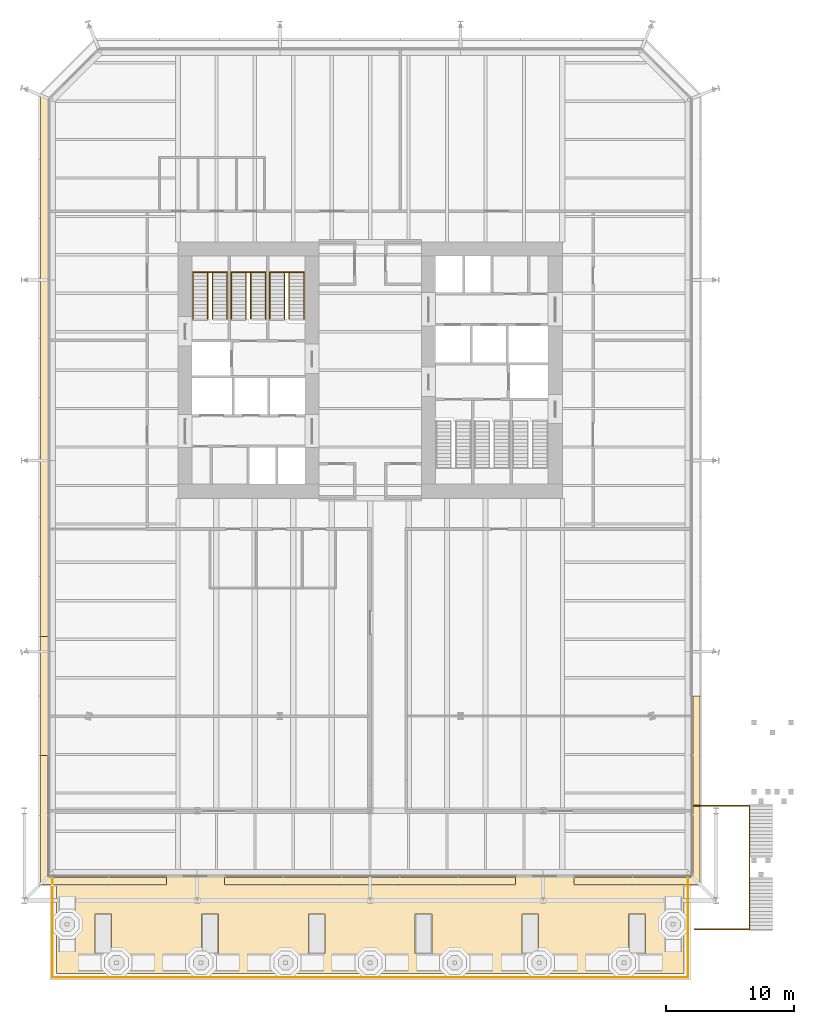
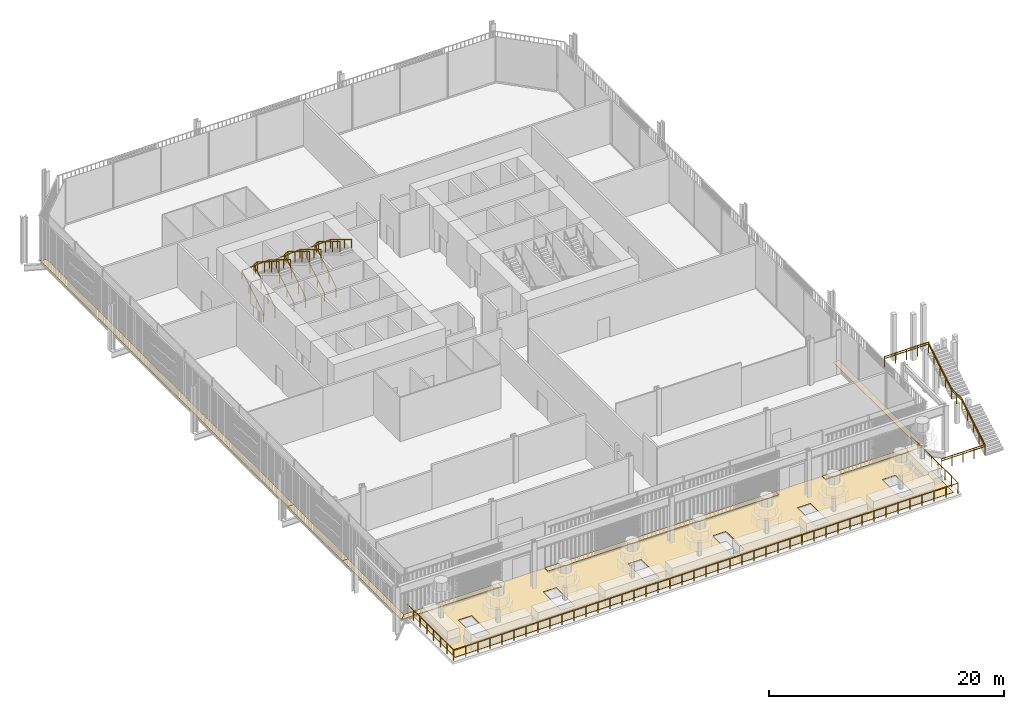
# One storey, part 23 of 25: 9 railings, 8 coverings.
"""IFC4 building model written with IfcOpenShell, lengths in metres."""

import ifcopenshell
import ifcopenshell.guid

model = None  # the IFC model being written
_history = None  # IfcOwnerHistory: only IFC2X3 demands one
_inside = {}  # id of a spatial element -> (the spatial element, [elements in it])
_under = {}  # id of a project, library or spatial element -> (it, [spatial elements below it])
_declared = {}  # id of a project -> (the project, [libraries it declares])
_typed = {}  # id of a type object -> (the type object, [elements of that type])
_made_of = {}  # id of a material, layer set ... -> (it, [elements and type objects made of it])


def new_model(schema):
    """Start an empty IFC model of exactly this schema.

    Asked for "IFC4X3", IfcOpenShell would pick the latest addendum, in which some entities
    have other attributes; the version numbers below select the first issue.
    IFC2X3 requires an IfcOwnerHistory on every rooted entity: one is made here for all.
    """
    global model, _history
    if schema == "IFC4X3":
        model = ifcopenshell.file(schema_version=(4, 3, 0, 0))
    else:
        model = ifcopenshell.file(schema=schema)
    _inside.clear()
    _under.clear()
    _declared.clear()
    _typed.clear()
    _made_of.clear()
    _history = None
    if model.schema == "IFC2X3":
        org = make("IfcOrganization", Name="unknown")
        user = make(
            "IfcPersonAndOrganization",
            ThePerson=make("IfcPerson", FamilyName="unknown"),
            TheOrganization=org,
        )
        app = make(
            "IfcApplication",
            ApplicationDeveloper=org,
            Version="unknown",
            ApplicationFullName="unknown",
            ApplicationIdentifier="unknown",
        )
        _history = make(
            "IfcOwnerHistory",
            OwningUser=user,
            OwningApplication=app,
            ChangeAction="ADDED",
            CreationDate=0,
        )
    return model


def make(cls, **values):
    """One entity of the class cls with the attributes given. An attribute that is None is left unset."""
    return model.create_entity(
        cls, **{name: value for name, value in values.items() if value is not None}
    )


def rooted(cls, **values):
    """An entity with a GlobalId (a new one), such as an element, a storey or a relation."""
    return make(cls, GlobalId=ifcopenshell.guid.new(), OwnerHistory=_history, **values)


def si_unit(unit_type, name, prefix=None):
    """IfcSIUnit, for example si_unit("LENGTHUNIT", "METRE", prefix="MILLI")."""
    return make("IfcSIUnit", UnitType=unit_type, Prefix=prefix, Name=name)


def assignment(units):
    """IfcUnitAssignment: the units of a project."""
    return None if units is None else make("IfcUnitAssignment", Units=units)


def point(xyz):
    """IfcCartesianPoint."""
    return None if xyz is None else make("IfcCartesianPoint", Coordinates=xyz)


def direction(xyz):
    """IfcDirection."""
    return None if xyz is None else make("IfcDirection", DirectionRatios=xyz)


def frame(location, z_axis=None, x_axis=None):
    """IfcAxis2Placement3D, a coordinate frame: its origin and axes. An axis left out is left unset."""
    return make(
        "IfcAxis2Placement3D",
        Location=point(location),
        Axis=direction(z_axis),
        RefDirection=direction(x_axis),
    )


def frame_2d(location, x_axis=None):
    """IfcAxis2Placement2D, a coordinate frame in the plane: its origin and x axis."""
    return make(
        "IfcAxis2Placement2D", Location=point(location), RefDirection=direction(x_axis)
    )


def origin():
    """The frame at (0, 0, 0) with its axes left unset."""
    return frame((0.0, 0.0, 0.0))


def origin_2d():
    """The frame at (0, 0) in the plane with its x axis left unset."""
    return frame_2d((0.0, 0.0))


def place(relative_to, where):
    """IfcLocalPlacement: puts the frame where relative to a parent placement (None: the world)."""
    return make(
        "IfcLocalPlacement", PlacementRelTo=relative_to, RelativePlacement=where
    )


def context(
    kind, dimensions, precision=None, world=None, true_north=None, identifier=None
):
    """IfcGeometricRepresentationContext, for example the 3D "Model" context."""
    return make(
        "IfcGeometricRepresentationContext",
        ContextIdentifier=identifier,
        ContextType=kind,
        CoordinateSpaceDimension=dimensions,
        Precision=precision,
        WorldCoordinateSystem=world,
        TrueNorth=true_north,
    )


def subcontext(parent, identifier, kind, view, scale=None):
    """IfcGeometricRepresentationSubContext, for example "Body" below "Model"."""
    return make(
        "IfcGeometricRepresentationSubContext",
        ContextIdentifier=identifier,
        ContextType=kind,
        ParentContext=parent,
        TargetScale=scale,
        TargetView=view,
    )


def project(units=None, contexts=None):
    """IfcProject with its units and contexts."""
    return rooted(
        "IfcProject",
        Name="project",
        RepresentationContexts=contexts,
        UnitsInContext=assignment(units),
    )


def spatial(cls, under=None, at=None, **own):
    """A site, building, storey or space (cls), placed at a placement, below another one or the project."""
    s = rooted(cls, ObjectPlacement=at, **own)
    if under is not None:
        _under.setdefault(under.id(), (under, []))[1].append(s)
    return s


def polyline(points):
    """IfcPolyline through the points."""
    return make("IfcPolyline", Points=[point(p) for p in points])


def profile(cls, at=None, kind="AREA", **sizes):
    """A parametric profile (cls). Its sizes go by their IFC names, for example OverallWidth=200.0."""
    return make(cls, ProfileType=kind, Position=at, **sizes)


def circle(**sizes):
    """IfcCircleProfileDef."""
    return profile("IfcCircleProfileDef", **sizes)


def outline(outer, holes=None, kind="AREA"):
    """IfcArbitraryClosedProfileDef: a profile drawn as a closed curve; with holes, ...WithVoids."""
    if holes is None:
        return make("IfcArbitraryClosedProfileDef", ProfileType=kind, OuterCurve=outer)
    return make(
        "IfcArbitraryProfileDefWithVoids",
        ProfileType=kind,
        OuterCurve=outer,
        InnerCurves=holes,
    )


def extrude(swept, where, along, depth):
    """IfcExtrudedAreaSolid: the profile swept, set in the frame where, extruded along a direction by depth."""
    return make(
        "IfcExtrudedAreaSolid",
        SweptArea=swept,
        Position=where,
        ExtrudedDirection=direction(along),
        Depth=depth,
    )


def shape(context_of_items, identifier, shape_type, items):
    """IfcShapeRepresentation: the items that make up one representation, for example the "Body"."""
    return make(
        "IfcShapeRepresentation",
        ContextOfItems=context_of_items,
        RepresentationIdentifier=identifier,
        RepresentationType=shape_type,
        Items=items,
    )


def material(Name=None, Category=None):
    """IfcMaterial."""
    return make("IfcMaterial", Name=Name, Category=Category)


def layer(
    of_material, thickness, ventilated=None, Name=None, Category=None, Priority=None
):
    """IfcMaterialLayer: one layer of a wall or slab, of a material (None: an air gap)."""
    return make(
        "IfcMaterialLayer",
        Material=of_material,
        LayerThickness=thickness,
        IsVentilated=ventilated,
        Name=Name,
        Category=Category,
        Priority=Priority,
    )


def layer_set(layers, Name=None):
    """IfcMaterialLayerSet."""
    return make("IfcMaterialLayerSet", MaterialLayers=layers, LayerSetName=Name)


def made_of(thing, what):
    """Note that an element or type object is made of a material, layer set ...; save() writes the relation."""
    if what is not None:
        _made_of.setdefault(what.id(), (what, []))[1].append(thing)
    return thing


def type_object(cls, material=None, **own):
    """A type object (cls), such as IfcWallType, which elements share."""
    return made_of(rooted(cls, **own), material)


def element(
    cls,
    number,
    at=None,
    inside=None,
    cuts=None,
    type_object=None,
    material=None,
    context=None,
    identifier="Body",
    shape_type=None,
    held_by="IfcProductDefinitionShape",
    body=None,
    shapes=None,
    **own,
):
    """One element of the class cls, such as IfcWall. Its Tag is "e" and its number.

    at: its placement. inside: the storey or other place that contains it. cuts: it is an
    opening in that element (IfcRelVoidsElement). A single representation is given by context,
    identifier, shape_type and body (its items); several are given by shapes. held_by: the class
    of the entity that holds the representations. save() writes the other relations.
    """
    e = rooted(cls, Tag="e%d" % number, ObjectPlacement=at, **own)
    if body is not None:
        shapes = [shape(context, identifier, shape_type, body)]
    if shapes is not None:
        e.Representation = make(held_by, Representations=shapes)
    if inside is not None:
        _inside.setdefault(inside.id(), (inside, []))[1].append(e)
    if cuts is not None:
        rooted(
            "IfcRelVoidsElement", RelatingBuildingElement=cuts, RelatedOpeningElement=e
        )
    if type_object is not None:
        _typed.setdefault(type_object.id(), (type_object, []))[1].append(e)
    return made_of(e, material)


def aggregate(whole, parts):
    """IfcRelAggregates: a whole, such as a stair, and the parts it consists of."""
    return rooted("IfcRelAggregates", RelatingObject=whole, RelatedObjects=parts)


def save(model, path):
    """Write the relations noted so far, then the file.

    IfcRelAggregates (storeys below a building ...), IfcRelContainedInSpatialStructure (elements
    in a storey), IfcRelDefinesByType, IfcRelAssociatesMaterial and IfcRelDeclares: one each for
    every whole, place, type object, material and project.
    """
    for whole, parts in _under.values():
        aggregate(whole, parts)
    for where, things in _inside.values():
        rooted(
            "IfcRelContainedInSpatialStructure",
            RelatedElements=things,
            RelatingStructure=where,
        )
    for kind, things in _typed.values():
        rooted("IfcRelDefinesByType", RelatedObjects=things, RelatingType=kind)
    for what, things in _made_of.values():
        rooted("IfcRelAssociatesMaterial", RelatedObjects=things, RelatingMaterial=what)
    for by, libraries in _declared.values():
        rooted("IfcRelDeclares", RelatingContext=by, RelatedDefinitions=libraries)
    model.write(path)


model = new_model("IFC4")

# Units and contexts
model_context = context("Model", 3, precision=1e-05, world=origin(), true_north=direction((0.0, 1.0)))
body_context = subcontext(model_context, "Body", "Model", "MODEL_VIEW")
ifc_project = project(units=[si_unit("LENGTHUNIT", "METRE"), si_unit("AREAUNIT", "SQUARE_METRE"), si_unit("VOLUMEUNIT", "CUBIC_METRE"), si_unit("PLANEANGLEUNIT", "RADIAN"), si_unit("MASSUNIT", "GRAM", prefix="KILO")], contexts=[model_context])

# Site, building, storey
site_placement = place(None, origin())
site = spatial("IfcSite", under=ifc_project, at=site_placement, CompositionType="ELEMENT")
building_placement = place(site_placement, origin())
building = spatial("IfcBuilding", under=site, at=building_placement, Name="Millrace Tower", CompositionType="ELEMENT")
storey_placement = place(building_placement, frame((0.0, 0.0, 6.5)))
storey = spatial("IfcBuildingStorey", under=building, at=storey_placement, Name="L02", CompositionType="ELEMENT", Elevation=6.5)

# Coverings
ifc_material_1 = material(Name="Steel ASTM A36", Category="steel")
ifc_layer_1 = layer(ifc_material_1, 0.050048828125)
ifc_layer_set_1 = layer_set([ifc_layer_1], Name="Steel ASTM A36")
covering_type_1 = type_object("IfcCoveringType", Name="CAVITY CATWALK steel grating", PredefinedType="FLOORING", material=ifc_layer_set_1)
placement_1 = place(storey_placement, frame((0.0, 0.0, 0.10009765625)))
element("IfcCovering", 1, at=placement_1, inside=storey, type_object=covering_type_1, Name="Cavity catwalk grating AW2-F01 L02 1", PredefinedType="FLOORING", context=body_context, shape_type="SweptSolid", body=[
    extrude(outline(polyline([(-25.75, -40.14990234375), (-15.9091796875, -40.14990234375), (-15.9091796875, -39.60009765625), (-25.199951171875, -39.60009765625), (-25.75, -40.14990234375)])), origin(), (0.0, 0.0, 1.0), 0.0498046875),
])
element("IfcCovering", 2, at=placement_1, inside=storey, type_object=covering_type_1, Name="Cavity catwalk grating AW2-F01 L02 2", PredefinedType="FLOORING", context=body_context, shape_type="SweptSolid", body=[
    extrude(outline(polyline([(-11.363525390625, -40.14990234375), (11.363525390625, -40.14990234375), (11.363525390625, -39.60009765625), (-11.363525390625, -39.60009765625), (-11.363525390625, -40.14990234375)])), origin(), (0.0, 0.0, 1.0), 0.0498046875),
])
element("IfcCovering", 3, at=placement_1, inside=storey, type_object=covering_type_1, Name="Cavity catwalk grating AW2-F01 L02 3", PredefinedType="FLOORING", context=body_context, shape_type="SweptSolid", body=[
    extrude(outline(polyline([(15.9091796875, -40.14990234375), (25.75, -40.14990234375), (25.199951171875, -39.60009765625), (15.9091796875, -39.60009765625), (15.9091796875, -40.14990234375)])), origin(), (0.0, 0.0, 1.0), 0.0498046875),
])
element("IfcCovering", 4, at=placement_1, inside=storey, type_object=covering_type_1, Name="Cavity catwalk grating AW2-F02 L02 1", PredefinedType="FLOORING", context=body_context, shape_type="SweptSolid", body=[
    extrude(outline(polyline([(25.75, -40.14990234375), (25.75, -25.427001953125), (25.199951171875, -25.427001953125), (25.199951171875, -39.60009765625), (25.75, -40.14990234375)])), origin(), (0.0, 0.0, 1.0), 0.0498046875),
])
element("IfcCovering", 5, at=placement_1, inside=storey, type_object=covering_type_1, Name="Cavity catwalk grating AW2-F06 L02 1", PredefinedType="FLOORING", context=body_context, shape_type="SweptSolid", body=[
    extrude(outline(polyline([(-25.75, 21.460693359375), (-25.75, -20.769287109375), (-25.14990234375, -20.769287109375), (-25.14990234375, 21.212158203125), (-25.75, 21.460693359375)])), origin(), (0.0, 0.0, 1.0), 0.0498046875),
])
element("IfcCovering", 6, at=placement_1, inside=storey, type_object=covering_type_1, Name="Cavity catwalk grating AW2-F06 L02 2", PredefinedType="FLOORING", context=body_context, shape_type="SweptSolid", body=[
    extrude(outline(polyline([(-25.75, -20.769287109375), (-25.75, -30.084716796875), (-25.14990234375, -30.084716796875), (-25.14990234375, -20.769287109375), (-25.75, -20.769287109375)])), origin(), (0.0, 0.0, 1.0), 0.0498046875),
])
element("IfcCovering", 7, at=placement_1, inside=storey, type_object=covering_type_1, Name="Cavity catwalk grating AW2-F06 L02 3", PredefinedType="FLOORING", context=body_context, shape_type="SweptSolid", body=[
    extrude(outline(polyline([(-25.75, -30.084716796875), (-25.75, -40.14990234375), (-25.199951171875, -39.60009765625), (-25.199951171875, -30.084716796875), (-25.75, -30.084716796875)])), origin(), (0.0, 0.0, 1.0), 0.0498046875),
])

# Railings
ifc_material_2 = material(Name="Stainless steel ASTM A240 type 316", Category="steel")
railing_type_1 = type_object("IfcRailingType", Name="Public stair guard 1100", PredefinedType="GUARDRAIL", material=ifc_material_2)
placement_2 = place(storey_placement, frame((25.300048828125, -43.639892578125, 0.0)))
element("IfcRailing", 8, at=placement_2, inside=storey, type_object=railing_type_1, Name="Public stair guard GD-STAIR-WB", PredefinedType="GUARDRAIL", context=body_context, shape_type="SweptSolid", body=[
    extrude(circle(Radius=0.02392578125, at=origin_2d()), frame((0.0, 0.0, 1.076171875), z_axis=(1.0, 0.0, 0.0), x_axis=(0.0, 1.0, 0.0)), (0.0, 0.0, 1.0), 4.300048828125),
    extrude(circle(Radius=0.02392578125, at=origin_2d()), frame((4.300048828125, 0.0, 1.076171875), z_axis=(0.0, 0.852856131449, 0.522145974847), x_axis=(-1.0, 0.0, 0.0)), (0.0, 0.0, 1.0), 4.59619140625),
    extrude(circle(Radius=0.02392578125, at=origin_2d()), frame((4.300048828125, 3.919921875, 3.47607421875), z_axis=(0.0, 1.0, 0.0), x_axis=(-1.0, 0.0, 0.0)), (0.0, 0.0, 1.0), 1.800048828125),
    extrude(circle(Radius=0.02392578125, at=origin_2d()), frame((4.300048828125, 5.719970703125, 3.47607421875), z_axis=(0.0, 0.852832477147, 0.522184609045), x_axis=(-1.0, 0.0, 0.0)), (0.0, 0.0, 1.0), 4.596435546875),
    extrude(circle(Radius=0.02392578125, at=origin_2d()), frame((4.300048828125, 9.639892578125, 5.8759765625), z_axis=(-1.0, 0.0, 0.0), x_axis=(0.0, -1.0, 0.0)), (0.0, 0.0, 1.0), 4.300048828125),
    extrude(circle(Radius=0.02099609375, at=origin_2d()), origin(), (0.0, 0.0, 1.0), 1.052001953125),
    extrude(circle(Radius=0.02099609375, at=origin_2d()), frame((1.074951171875, 0.0, 0.0)), (0.0, 0.0, 1.0), 1.052001953125),
    extrude(circle(Radius=0.02099609375, at=origin_2d()), frame((2.14990234375, 0.0, 0.0)), (0.0, 0.0, 1.0), 1.052001953125),
    extrude(circle(Radius=0.02099609375, at=origin_2d()), frame((3.22509765625, 0.0, 0.0)), (0.0, 0.0, 1.0), 1.052001953125),
    extrude(circle(Radius=0.02099609375, at=origin_2d()), frame((4.300048828125, 0.0, 0.0)), (0.0, 0.0, 1.0), 1.052001953125),
    extrude(circle(Radius=0.02099609375, at=origin_2d()), frame((4.300048828125, 0.97998046875, 0.60009765625)), (0.0, 0.0, 1.0), 1.052001953125),
    extrude(circle(Radius=0.02099609375, at=origin_2d()), frame((4.300048828125, 1.9599609375, 1.199951171875)), (0.0, 0.0, 1.0), 1.052001953125),
    extrude(circle(Radius=0.02099609375, at=origin_2d()), frame((4.300048828125, 2.93994140625, 1.7998046875)), (0.0, 0.0, 1.0), 1.052001953125),
    extrude(circle(Radius=0.02099609375, at=origin_2d()), frame((4.300048828125, 3.919921875, 2.39990234375)), (0.0, 0.0, 1.0), 1.052001953125),
    extrude(circle(Radius=0.02099609375, at=origin_2d()), frame((4.300048828125, 4.81982421875, 2.39990234375)), (0.0, 0.0, 1.0), 1.052001953125),
    extrude(circle(Radius=0.02099609375, at=origin_2d()), frame((4.300048828125, 5.719970703125, 2.39990234375)), (0.0, 0.0, 1.0), 1.052001953125),
    extrude(circle(Radius=0.02099609375, at=origin_2d()), frame((4.300048828125, 6.699951171875, 3.0)), (0.0, 0.0, 1.0), 1.052001953125),
    extrude(circle(Radius=0.02099609375, at=origin_2d()), frame((4.300048828125, 7.679931640625, 3.60009765625)), (0.0, 0.0, 1.0), 1.052001953125),
    extrude(circle(Radius=0.02099609375, at=origin_2d()), frame((4.300048828125, 8.659912109375, 4.199951171875)), (0.0, 0.0, 1.0), 1.052001953125),
    extrude(circle(Radius=0.02099609375, at=origin_2d()), frame((4.300048828125, 9.639892578125, 4.800048828125)), (0.0, 0.0, 1.0), 1.052001953125),
    extrude(circle(Radius=0.02099609375, at=origin_2d()), frame((3.22509765625, 9.639892578125, 4.800048828125)), (0.0, 0.0, 1.0), 1.052001953125),
    extrude(circle(Radius=0.02099609375, at=origin_2d()), frame((2.14990234375, 9.639892578125, 4.800048828125)), (0.0, 0.0, 1.0), 1.052001953125),
    extrude(circle(Radius=0.02099609375, at=origin_2d()), frame((1.074951171875, 9.639892578125, 4.800048828125)), (0.0, 0.0, 1.0), 1.052001953125),
    extrude(circle(Radius=0.02099609375, at=origin_2d()), frame((0.0, 9.639892578125, 4.800048828125)), (0.0, 0.0, 1.0), 1.052001953125),
])
ifc_material_3 = material(Name="Stainless steel ASTM A240 type 316", Category="steel")
railing_type_2 = type_object("IfcRailingType", Name="Public stair handrail 900", PredefinedType="HANDRAIL", material=ifc_material_3)
element("IfcRailing", 9, at=placement_2, inside=storey, type_object=railing_type_2, Name="Public stair handrail HR-STAIR-WB", PredefinedType="HANDRAIL", context=body_context, shape_type="SweptSolid", body=[
    extrude(circle(Radius=0.02392578125, at=origin_2d()), frame((0.0, 0.0, 0.8759765625), z_axis=(1.0, 0.0, 0.0), x_axis=(0.0, 1.0, 0.0)), (0.0, 0.0, 1.0), 4.300048828125),
    extrude(circle(Radius=0.02392578125, at=origin_2d()), frame((4.300048828125, 0.0, 0.8759765625), z_axis=(0.0, 0.852856131449, 0.522145974847), x_axis=(-1.0, 0.0, 0.0)), (0.0, 0.0, 1.0), 4.59619140625),
    extrude(circle(Radius=0.02392578125, at=origin_2d()), frame((4.300048828125, 3.919921875, 3.27587890625), z_axis=(0.0, 1.0, 0.0), x_axis=(-1.0, 0.0, 0.0)), (0.0, 0.0, 1.0), 1.800048828125),
    extrude(circle(Radius=0.02392578125, at=origin_2d()), frame((4.300048828125, 5.719970703125, 3.27587890625), z_axis=(0.0, 0.852832477147, 0.522184609045), x_axis=(-1.0, 0.0, 0.0)), (0.0, 0.0, 1.0), 4.596435546875),
    extrude(circle(Radius=0.02392578125, at=origin_2d()), frame((4.300048828125, 9.639892578125, 5.67578125), z_axis=(-1.0, 0.0, 0.0), x_axis=(0.0, -1.0, 0.0)), (0.0, 0.0, 1.0), 4.300048828125),
    extrude(circle(Radius=0.02099609375, at=origin_2d()), origin(), (0.0, 0.0, 1.0), 0.851806640625),
    extrude(circle(Radius=0.02099609375, at=origin_2d()), frame((1.074951171875, 0.0, 0.0)), (0.0, 0.0, 1.0), 0.851806640625),
    extrude(circle(Radius=0.02099609375, at=origin_2d()), frame((2.14990234375, 0.0, 0.0)), (0.0, 0.0, 1.0), 0.851806640625),
    extrude(circle(Radius=0.02099609375, at=origin_2d()), frame((3.22509765625, 0.0, 0.0)), (0.0, 0.0, 1.0), 0.851806640625),
    extrude(circle(Radius=0.02099609375, at=origin_2d()), frame((4.300048828125, 0.0, 0.0)), (0.0, 0.0, 1.0), 0.851806640625),
    extrude(circle(Radius=0.02099609375, at=origin_2d()), frame((4.300048828125, 0.97998046875, 0.60009765625)), (0.0, 0.0, 1.0), 0.851806640625),
    extrude(circle(Radius=0.02099609375, at=origin_2d()), frame((4.300048828125, 1.9599609375, 1.199951171875)), (0.0, 0.0, 1.0), 0.851806640625),
    extrude(circle(Radius=0.02099609375, at=origin_2d()), frame((4.300048828125, 2.93994140625, 1.7998046875)), (0.0, 0.0, 1.0), 0.851806640625),
    extrude(circle(Radius=0.02099609375, at=origin_2d()), frame((4.300048828125, 3.919921875, 2.39990234375)), (0.0, 0.0, 1.0), 0.851806640625),
    extrude(circle(Radius=0.02099609375, at=origin_2d()), frame((4.300048828125, 4.81982421875, 2.39990234375)), (0.0, 0.0, 1.0), 0.851806640625),
    extrude(circle(Radius=0.02099609375, at=origin_2d()), frame((4.300048828125, 5.719970703125, 2.39990234375)), (0.0, 0.0, 1.0), 0.851806640625),
    extrude(circle(Radius=0.02099609375, at=origin_2d()), frame((4.300048828125, 6.699951171875, 3.0)), (0.0, 0.0, 1.0), 0.851806640625),
    extrude(circle(Radius=0.02099609375, at=origin_2d()), frame((4.300048828125, 7.679931640625, 3.60009765625)), (0.0, 0.0, 1.0), 0.851806640625),
    extrude(circle(Radius=0.02099609375, at=origin_2d()), frame((4.300048828125, 8.659912109375, 4.199951171875)), (0.0, 0.0, 1.0), 0.851806640625),
    extrude(circle(Radius=0.02099609375, at=origin_2d()), frame((4.300048828125, 9.639892578125, 4.800048828125)), (0.0, 0.0, 1.0), 0.851806640625),
    extrude(circle(Radius=0.02099609375, at=origin_2d()), frame((3.22509765625, 9.639892578125, 4.800048828125)), (0.0, 0.0, 1.0), 0.851806640625),
    extrude(circle(Radius=0.02099609375, at=origin_2d()), frame((2.14990234375, 9.639892578125, 4.800048828125)), (0.0, 0.0, 1.0), 0.851806640625),
    extrude(circle(Radius=0.02099609375, at=origin_2d()), frame((1.074951171875, 9.639892578125, 4.800048828125)), (0.0, 0.0, 1.0), 0.851806640625),
    extrude(circle(Radius=0.02099609375, at=origin_2d()), frame((0.0, 9.639892578125, 4.800048828125)), (0.0, 0.0, 1.0), 0.851806640625),
])

# Covering
ifc_material_4 = material(Name="Bituminous roofing membrane on rigid insulation")
ifc_layer_2 = layer(ifc_material_4, 0.0400390625)
ifc_layer_set_2 = layer_set([ifc_layer_2], Name="Bituminous roofing membrane on rigid insulation")
covering_type_2 = type_object("IfcCoveringType", Name="Roofing membrane and insulation 40 mm", PredefinedType="ROOFING", material=ifc_layer_set_2)
covering_8_placement = place(storey_placement, frame((0.0, 0.0, -0.0400390625)))
element("IfcCovering", 10, at=covering_8_placement, inside=storey, type_object=covering_type_2, Name="Roofing membrane and insulation CT-L01-1", PredefinedType="ROOFING", context=body_context, shape_type="SweptSolid", body=[
    extrude(outline(polyline([(-24.5, -47.10009765625), (24.5, -47.10009765625), (24.5, -39.39990234375), (-24.5, -39.39990234375), (-24.5, -47.10009765625)]), holes=[polyline([(-21.4833984375, -45.550048828125), (-20.183349609375, -45.550048828125), (-20.183349609375, -42.449951171875), (-21.4833984375, -42.449951171875), (-21.4833984375, -45.550048828125)]), polyline([(-13.14990234375, -45.550048828125), (-11.85009765625, -45.550048828125), (-11.85009765625, -42.449951171875), (-13.14990234375, -42.449951171875), (-13.14990234375, -45.550048828125)]), polyline([(-4.816650390625, -45.550048828125), (-3.5166015625, -45.550048828125), (-3.5166015625, -42.449951171875), (-4.816650390625, -42.449951171875), (-4.816650390625, -45.550048828125)]), polyline([(3.5166015625, -45.550048828125), (4.816650390625, -45.550048828125), (4.816650390625, -42.449951171875), (3.5166015625, -42.449951171875), (3.5166015625, -45.550048828125)]), polyline([(11.85009765625, -45.550048828125), (13.14990234375, -45.550048828125), (13.14990234375, -42.449951171875), (11.85009765625, -42.449951171875), (11.85009765625, -45.550048828125)]), polyline([(20.183349609375, -45.550048828125), (21.4833984375, -45.550048828125), (21.4833984375, -42.449951171875), (20.183349609375, -42.449951171875), (20.183349609375, -45.550048828125)])]), origin(), (0.0, 0.0, 1.0), 0.0400390625),
])

# Railings
ifc_material_5 = material(Name="Stainless steel ASTM A240 type 316", Category="steel")
railing_type_3 = type_object("IfcRailingType", Name="Stair guard 1100", PredefinedType="GUARDRAIL", material=ifc_material_5)
for number, where, name in (
    (11, (-12.679931640625, 4.0, 0.17138671875), "Stair guard 1 W L02"),
    (12, (-9.679931640625, 4.0, 0.17138671875), "Stair guard 2 W L02"),
    (13, (-6.679931640625, 4.0, 0.17138671875), "Stair guard 3 W L02"),
):
    element("IfcRailing", number, at=place(storey_placement, frame(where)), inside=storey, type_object=railing_type_3, Name=name, PredefinedType="GUARDRAIL", context=body_context, shape_type="SweptSolid", body=[
        extrude(circle(Radius=0.02392578125, at=origin_2d()), frame((0.0, 0.0, 1.076171875), z_axis=(0.0, 0.852850264322, 0.5221555579), x_axis=(-1.0, 0.0, 0.0)), (0.0, 0.0, 1.0), 4.267822265625),
        extrude(circle(Radius=0.02392578125, at=origin_2d()), frame((0.0, 3.639892578125, 3.3046875), z_axis=(0.902837873996, 0.0, 0.429981131306), x_axis=(0.0, 1.0, 0.0)), (0.0, 0.0, 1.0), 0.398681640625),
        extrude(circle(Radius=0.02392578125, at=origin_2d()), frame((0.35986328125, 3.639892578125, 3.47607421875), z_axis=(0.0, -0.852824790078, 0.522197163366), x_axis=(1.0, 0.0, 0.0)), (0.0, 0.0, 1.0), 4.26806640625),
        extrude(circle(Radius=0.02099609375, at=origin_2d()), origin(), (0.0, 0.0, 1.0), 1.052001953125),
        extrude(circle(Radius=0.02099609375, at=origin_2d()), frame((0.0, 1.21337890625, 0.742919921875)), (0.0, 0.0, 1.0), 1.052001953125),
        extrude(circle(Radius=0.02099609375, at=origin_2d()), frame((0.0, 2.426513671875, 1.485595703125)), (0.0, 0.0, 1.0), 1.052001953125),
        extrude(circle(Radius=0.02099609375, at=origin_2d()), frame((0.0, 3.639892578125, 2.228515625)), (0.0, 0.0, 1.0), 1.052001953125),
        extrude(circle(Radius=0.02099609375, at=origin_2d()), frame((0.35986328125, 3.639892578125, 2.39990234375)), (0.0, 0.0, 1.0), 1.052001953125),
        extrude(circle(Radius=0.02099609375, at=origin_2d()), frame((0.35986328125, 2.426513671875, 3.142822265625)), (0.0, 0.0, 1.0), 1.052001953125),
        extrude(circle(Radius=0.02099609375, at=origin_2d()), frame((0.35986328125, 1.21337890625, 3.8857421875)), (0.0, 0.0, 1.0), 1.052001953125),
        extrude(circle(Radius=0.02099609375, at=origin_2d()), frame((0.35986328125, 0.0, 4.628662109375)), (0.0, 0.0, 1.0), 1.052001953125),
    ])
ifc_material_6 = material(Name="Stainless steel ASTM A240 type 316", Category="steel")
railing_type_4 = type_object("IfcRailingType", Name="Stair handrail 900", PredefinedType="HANDRAIL", material=ifc_material_6)
railing_3_placement = place(storey_placement, frame((-13.840087890625, 4.0, 0.17138671875)))
element("IfcRailing", 14, at=railing_3_placement, inside=storey, type_object=railing_type_4, Name="Stair handrail 1 W L02", PredefinedType="HANDRAIL", context=body_context, shape_type="SweptSolid", body=[
    extrude(circle(Radius=0.02392578125, at=origin_2d()), frame((0.0, 0.0, 0.8759765625), z_axis=(0.0, 0.852850264322, 0.5221555579), x_axis=(-1.0, 0.0, 0.0)), (0.0, 0.0, 1.0), 4.267822265625),
    extrude(circle(Radius=0.02392578125, at=origin_2d()), frame((0.0, 3.639892578125, 3.1044921875), z_axis=(0.9979616988, 0.0, 0.063815732607), x_axis=(0.0, 1.0, 0.0)), (0.0, 0.0, 1.0), 2.685546875),
    extrude(circle(Radius=0.02392578125, at=origin_2d()), frame((2.68017578125, 3.639892578125, 3.27587890625), z_axis=(0.0, -0.852824790078, 0.522197163366), x_axis=(1.0, 0.0, 0.0)), (0.0, 0.0, 1.0), 4.26806640625),
    extrude(circle(Radius=0.02099609375, at=origin_2d()), origin(), (0.0, 0.0, 1.0), 0.851806640625),
    extrude(circle(Radius=0.02099609375, at=origin_2d()), frame((0.0, 1.21337890625, 0.742919921875)), (0.0, 0.0, 1.0), 0.851806640625),
    extrude(circle(Radius=0.02099609375, at=origin_2d()), frame((0.0, 2.426513671875, 1.485595703125)), (0.0, 0.0, 1.0), 0.851806640625),
    extrude(circle(Radius=0.02099609375, at=origin_2d()), frame((0.0, 3.639892578125, 2.228515625)), (0.0, 0.0, 1.0), 0.851806640625),
    extrude(circle(Radius=0.02099609375, at=origin_2d()), frame((1.340087890625, 3.639892578125, 2.314208984375)), (0.0, 0.0, 1.0), 0.851806640625),
    extrude(circle(Radius=0.02099609375, at=origin_2d()), frame((2.68017578125, 3.639892578125, 2.39990234375)), (0.0, 0.0, 1.0), 0.851806640625),
    extrude(circle(Radius=0.02099609375, at=origin_2d()), frame((2.68017578125, 2.426513671875, 3.142822265625)), (0.0, 0.0, 1.0), 0.851806640625),
    extrude(circle(Radius=0.02099609375, at=origin_2d()), frame((2.68017578125, 1.21337890625, 3.8857421875)), (0.0, 0.0, 1.0), 0.851806640625),
    extrude(circle(Radius=0.02099609375, at=origin_2d()), frame((2.68017578125, 0.0, 4.628662109375)), (0.0, 0.0, 1.0), 0.851806640625),
])
railing_4_placement = place(storey_placement, frame((-10.840087890625, 4.0, 0.17138671875)))
element("IfcRailing", 15, at=railing_4_placement, inside=storey, type_object=railing_type_4, Name="Stair handrail 2 W L02", PredefinedType="HANDRAIL", context=body_context, shape_type="SweptSolid", body=[
    extrude(circle(Radius=0.02392578125, at=origin_2d()), frame((0.0, 0.0, 0.8759765625), z_axis=(0.0, 0.852850264322, 0.5221555579), x_axis=(-1.0, 0.0, 0.0)), (0.0, 0.0, 1.0), 4.267822265625),
    extrude(circle(Radius=0.02392578125, at=origin_2d()), frame((0.0, 3.639892578125, 3.1044921875), z_axis=(0.9979616988, 0.0, 0.063815732607), x_axis=(0.0, 1.0, 0.0)), (0.0, 0.0, 1.0), 2.685546875),
    extrude(circle(Radius=0.02392578125, at=origin_2d()), frame((2.68017578125, 3.639892578125, 3.27587890625), z_axis=(0.0, -0.852824790078, 0.522197163366), x_axis=(1.0, 0.0, 0.0)), (0.0, 0.0, 1.0), 4.26806640625),
    extrude(circle(Radius=0.02099609375, at=origin_2d()), origin(), (0.0, 0.0, 1.0), 0.851806640625),
    extrude(circle(Radius=0.02099609375, at=origin_2d()), frame((0.0, 1.21337890625, 0.742919921875)), (0.0, 0.0, 1.0), 0.851806640625),
    extrude(circle(Radius=0.02099609375, at=origin_2d()), frame((0.0, 2.426513671875, 1.485595703125)), (0.0, 0.0, 1.0), 0.851806640625),
    extrude(circle(Radius=0.02099609375, at=origin_2d()), frame((0.0, 3.639892578125, 2.228515625)), (0.0, 0.0, 1.0), 0.851806640625),
    extrude(circle(Radius=0.02099609375, at=origin_2d()), frame((1.340087890625, 3.639892578125, 2.314208984375)), (0.0, 0.0, 1.0), 0.851806640625),
    extrude(circle(Radius=0.02099609375, at=origin_2d()), frame((2.68017578125, 3.639892578125, 2.39990234375)), (0.0, 0.0, 1.0), 0.851806640625),
    extrude(circle(Radius=0.02099609375, at=origin_2d()), frame((2.68017578125, 2.426513671875, 3.142822265625)), (0.0, 0.0, 1.0), 0.851806640625),
    extrude(circle(Radius=0.02099609375, at=origin_2d()), frame((2.68017578125, 1.21337890625, 3.8857421875)), (0.0, 0.0, 1.0), 0.851806640625),
    extrude(circle(Radius=0.02099609375, at=origin_2d()), frame((2.68017578125, 0.0, 4.628662109375)), (0.0, 0.0, 1.0), 0.851806640625),
])
railing_5_placement = place(storey_placement, frame((-7.840087890625, 4.0, 0.17138671875)))
element("IfcRailing", 16, at=railing_5_placement, inside=storey, type_object=railing_type_4, Name="Stair handrail 3 W L02", PredefinedType="HANDRAIL", context=body_context, shape_type="SweptSolid", body=[
    extrude(circle(Radius=0.02392578125, at=origin_2d()), frame((0.0, 0.0, 0.8759765625), z_axis=(0.0, 0.852850264322, 0.5221555579), x_axis=(-1.0, 0.0, 0.0)), (0.0, 0.0, 1.0), 4.267822265625),
    extrude(circle(Radius=0.02392578125, at=origin_2d()), frame((0.0, 3.639892578125, 3.1044921875), z_axis=(0.9979616988, 0.0, 0.063815732607), x_axis=(0.0, 1.0, 0.0)), (0.0, 0.0, 1.0), 2.685546875),
    extrude(circle(Radius=0.02392578125, at=origin_2d()), frame((2.68017578125, 3.639892578125, 3.27587890625), z_axis=(0.0, -0.852824790078, 0.522197163366), x_axis=(1.0, 0.0, 0.0)), (0.0, 0.0, 1.0), 4.26806640625),
    extrude(circle(Radius=0.02099609375, at=origin_2d()), origin(), (0.0, 0.0, 1.0), 0.851806640625),
    extrude(circle(Radius=0.02099609375, at=origin_2d()), frame((0.0, 1.21337890625, 0.742919921875)), (0.0, 0.0, 1.0), 0.851806640625),
    extrude(circle(Radius=0.02099609375, at=origin_2d()), frame((0.0, 2.426513671875, 1.485595703125)), (0.0, 0.0, 1.0), 0.851806640625),
    extrude(circle(Radius=0.02099609375, at=origin_2d()), frame((0.0, 3.639892578125, 2.228515625)), (0.0, 0.0, 1.0), 0.851806640625),
    extrude(circle(Radius=0.02099609375, at=origin_2d()), frame((1.340087890625, 3.639892578125, 2.314208984375)), (0.0, 0.0, 1.0), 0.851806640625),
    extrude(circle(Radius=0.02099609375, at=origin_2d()), frame((2.68017578125, 3.639892578125, 2.39990234375)), (0.0, 0.0, 1.0), 0.851806640625),
    extrude(circle(Radius=0.02099609375, at=origin_2d()), frame((2.68017578125, 2.426513671875, 3.142822265625)), (0.0, 0.0, 1.0), 0.851806640625),
    extrude(circle(Radius=0.02099609375, at=origin_2d()), frame((2.68017578125, 1.21337890625, 3.8857421875)), (0.0, 0.0, 1.0), 0.851806640625),
    extrude(circle(Radius=0.02099609375, at=origin_2d()), frame((2.68017578125, 0.0, 4.628662109375)), (0.0, 0.0, 1.0), 0.851806640625),
])
ifc_material_7 = material(Name="Stainless steel ASTM A240 type 316", Category="steel")
railing_type_5 = type_object("IfcRailingType", Name="Terrace guard 1100", PredefinedType="GUARDRAIL", material=ifc_material_7)
railing_6_placement = place(storey_placement, frame((-24.800048828125, -39.39990234375, -0.0400390625)))
element("IfcRailing", 17, at=railing_6_placement, inside=storey, type_object=railing_type_5, Name="Terrace guard CT-L01-1 1", PredefinedType="GUARDRAIL", context=body_context, shape_type="SweptSolid", body=[
    extrude(circle(Radius=0.02392578125, at=origin_2d()), frame((0.0, 0.0, 1.076171875), z_axis=(0.0, -1.0, 0.0), x_axis=(1.0, 0.0, 0.0)), (0.0, 0.0, 1.0), 8.0),
    extrude(circle(Radius=0.02392578125, at=origin_2d()), frame((0.0, -8.0, 1.076171875), z_axis=(1.0, 0.0, 0.0), x_axis=(0.0, 1.0, 0.0)), (0.0, 0.0, 1.0), 49.60009765625),
    extrude(circle(Radius=0.02392578125, at=origin_2d()), frame((49.60009765625, -8.0, 1.076171875), z_axis=(0.0, 1.0, 0.0), x_axis=(-1.0, 0.0, 0.0)), (0.0, 0.0, 1.0), 8.0),
    extrude(circle(Radius=0.02099609375, at=origin_2d()), origin(), (0.0, 0.0, 1.0), 1.052001953125),
    extrude(circle(Radius=0.02099609375, at=origin_2d()), frame((0.0, -1.142822265625, 0.0)), (0.0, 0.0, 1.0), 1.052001953125),
    extrude(circle(Radius=0.02099609375, at=origin_2d()), frame((0.0, -2.28564453125, 0.0)), (0.0, 0.0, 1.0), 1.052001953125),
    extrude(circle(Radius=0.02099609375, at=origin_2d()), frame((0.0, -3.428466796875, 0.0)), (0.0, 0.0, 1.0), 1.052001953125),
    extrude(circle(Radius=0.02099609375, at=origin_2d()), frame((0.0, -4.571533203125, 0.0)), (0.0, 0.0, 1.0), 1.052001953125),
    extrude(circle(Radius=0.02099609375, at=origin_2d()), frame((0.0, -5.71435546875, 0.0)), (0.0, 0.0, 1.0), 1.052001953125),
    extrude(circle(Radius=0.02099609375, at=origin_2d()), frame((0.0, -6.857177734375, 0.0)), (0.0, 0.0, 1.0), 1.052001953125),
    extrude(circle(Radius=0.02099609375, at=origin_2d()), frame((0.0, -8.0, 0.0)), (0.0, 0.0, 1.0), 1.052001953125),
    extrude(circle(Radius=0.02099609375, at=origin_2d()), frame((1.180908203125, -8.0, 0.0)), (0.0, 0.0, 1.0), 1.052001953125),
    extrude(circle(Radius=0.02099609375, at=origin_2d()), frame((2.36181640625, -8.0, 0.0)), (0.0, 0.0, 1.0), 1.052001953125),
    extrude(circle(Radius=0.02099609375, at=origin_2d()), frame((3.54296875, -8.0, 0.0)), (0.0, 0.0, 1.0), 1.052001953125),
    extrude(circle(Radius=0.02099609375, at=origin_2d()), frame((4.723876953125, -8.0, 0.0)), (0.0, 0.0, 1.0), 1.052001953125),
    extrude(circle(Radius=0.02099609375, at=origin_2d()), frame((5.90478515625, -8.0, 0.0)), (0.0, 0.0, 1.0), 1.052001953125),
    extrude(circle(Radius=0.02099609375, at=origin_2d()), frame((7.085693359375, -8.0, 0.0)), (0.0, 0.0, 1.0), 1.052001953125),
    extrude(circle(Radius=0.02099609375, at=origin_2d()), frame((8.2666015625, -8.0, 0.0)), (0.0, 0.0, 1.0), 1.052001953125),
    extrude(circle(Radius=0.02099609375, at=origin_2d()), frame((9.44775390625, -8.0, 0.0)), (0.0, 0.0, 1.0), 1.052001953125),
    extrude(circle(Radius=0.02099609375, at=origin_2d()), frame((10.628662109375, -8.0, 0.0)), (0.0, 0.0, 1.0), 1.052001953125),
    extrude(circle(Radius=0.02099609375, at=origin_2d()), frame((11.8095703125, -8.0, 0.0)), (0.0, 0.0, 1.0), 1.052001953125),
    extrude(circle(Radius=0.02099609375, at=origin_2d()), frame((12.990478515625, -8.0, 0.0)), (0.0, 0.0, 1.0), 1.052001953125),
    extrude(circle(Radius=0.02099609375, at=origin_2d()), frame((14.17138671875, -8.0, 0.0)), (0.0, 0.0, 1.0), 1.052001953125),
    extrude(circle(Radius=0.02099609375, at=origin_2d()), frame((15.352294921875, -8.0, 0.0)), (0.0, 0.0, 1.0), 1.052001953125),
    extrude(circle(Radius=0.02099609375, at=origin_2d()), frame((16.533447265625, -8.0, 0.0)), (0.0, 0.0, 1.0), 1.052001953125),
    extrude(circle(Radius=0.02099609375, at=origin_2d()), frame((17.71435546875, -8.0, 0.0)), (0.0, 0.0, 1.0), 1.052001953125),
    extrude(circle(Radius=0.02099609375, at=origin_2d()), frame((18.895263671875, -8.0, 0.0)), (0.0, 0.0, 1.0), 1.052001953125),
    extrude(circle(Radius=0.02099609375, at=origin_2d()), frame((20.076171875, -8.0, 0.0)), (0.0, 0.0, 1.0), 1.052001953125),
    extrude(circle(Radius=0.02099609375, at=origin_2d()), frame((21.257080078125, -8.0, 0.0)), (0.0, 0.0, 1.0), 1.052001953125),
    extrude(circle(Radius=0.02099609375, at=origin_2d()), frame((22.438232421875, -8.0, 0.0)), (0.0, 0.0, 1.0), 1.052001953125),
    extrude(circle(Radius=0.02099609375, at=origin_2d()), frame((23.619140625, -8.0, 0.0)), (0.0, 0.0, 1.0), 1.052001953125),
    extrude(circle(Radius=0.02099609375, at=origin_2d()), frame((24.800048828125, -8.0, 0.0)), (0.0, 0.0, 1.0), 1.052001953125),
    extrude(circle(Radius=0.02099609375, at=origin_2d()), frame((25.98095703125, -8.0, 0.0)), (0.0, 0.0, 1.0), 1.052001953125),
    extrude(circle(Radius=0.02099609375, at=origin_2d()), frame((27.161865234375, -8.0, 0.0)), (0.0, 0.0, 1.0), 1.052001953125),
    extrude(circle(Radius=0.02099609375, at=origin_2d()), frame((28.343017578125, -8.0, 0.0)), (0.0, 0.0, 1.0), 1.052001953125),
    extrude(circle(Radius=0.02099609375, at=origin_2d()), frame((29.52392578125, -8.0, 0.0)), (0.0, 0.0, 1.0), 1.052001953125),
    extrude(circle(Radius=0.02099609375, at=origin_2d()), frame((30.704833984375, -8.0, 0.0)), (0.0, 0.0, 1.0), 1.052001953125),
    extrude(circle(Radius=0.02099609375, at=origin_2d()), frame((31.8857421875, -8.0, 0.0)), (0.0, 0.0, 1.0), 1.052001953125),
    extrude(circle(Radius=0.02099609375, at=origin_2d()), frame((33.066650390625, -8.0, 0.0)), (0.0, 0.0, 1.0), 1.052001953125),
    extrude(circle(Radius=0.02099609375, at=origin_2d()), frame((34.247802734375, -8.0, 0.0)), (0.0, 0.0, 1.0), 1.052001953125),
    extrude(circle(Radius=0.02099609375, at=origin_2d()), frame((35.4287109375, -8.0, 0.0)), (0.0, 0.0, 1.0), 1.052001953125),
    extrude(circle(Radius=0.02099609375, at=origin_2d()), frame((36.609619140625, -8.0, 0.0)), (0.0, 0.0, 1.0), 1.052001953125),
    extrude(circle(Radius=0.02099609375, at=origin_2d()), frame((37.79052734375, -8.0, 0.0)), (0.0, 0.0, 1.0), 1.052001953125),
    extrude(circle(Radius=0.02099609375, at=origin_2d()), frame((38.971435546875, -8.0, 0.0)), (0.0, 0.0, 1.0), 1.052001953125),
    extrude(circle(Radius=0.02099609375, at=origin_2d()), frame((40.15234375, -8.0, 0.0)), (0.0, 0.0, 1.0), 1.052001953125),
    extrude(circle(Radius=0.02099609375, at=origin_2d()), frame((41.33349609375, -8.0, 0.0)), (0.0, 0.0, 1.0), 1.052001953125),
    extrude(circle(Radius=0.02099609375, at=origin_2d()), frame((42.514404296875, -8.0, 0.0)), (0.0, 0.0, 1.0), 1.052001953125),
    extrude(circle(Radius=0.02099609375, at=origin_2d()), frame((43.6953125, -8.0, 0.0)), (0.0, 0.0, 1.0), 1.052001953125),
    extrude(circle(Radius=0.02099609375, at=origin_2d()), frame((44.876220703125, -8.0, 0.0)), (0.0, 0.0, 1.0), 1.052001953125),
    extrude(circle(Radius=0.02099609375, at=origin_2d()), frame((46.05712890625, -8.0, 0.0)), (0.0, 0.0, 1.0), 1.052001953125),
    extrude(circle(Radius=0.02099609375, at=origin_2d()), frame((47.23828125, -8.0, 0.0)), (0.0, 0.0, 1.0), 1.052001953125),
    extrude(circle(Radius=0.02099609375, at=origin_2d()), frame((48.419189453125, -8.0, 0.0)), (0.0, 0.0, 1.0), 1.052001953125),
    extrude(circle(Radius=0.02099609375, at=origin_2d()), frame((49.60009765625, -8.0, 0.0)), (0.0, 0.0, 1.0), 1.052001953125),
    extrude(circle(Radius=0.02099609375, at=origin_2d()), frame((49.60009765625, -6.857177734375, 0.0)), (0.0, 0.0, 1.0), 1.052001953125),
    extrude(circle(Radius=0.02099609375, at=origin_2d()), frame((49.60009765625, -5.71435546875, 0.0)), (0.0, 0.0, 1.0), 1.052001953125),
    extrude(circle(Radius=0.02099609375, at=origin_2d()), frame((49.60009765625, -4.571533203125, 0.0)), (0.0, 0.0, 1.0), 1.052001953125),
    extrude(circle(Radius=0.02099609375, at=origin_2d()), frame((49.60009765625, -3.428466796875, 0.0)), (0.0, 0.0, 1.0), 1.052001953125),
    extrude(circle(Radius=0.02099609375, at=origin_2d()), frame((49.60009765625, -2.28564453125, 0.0)), (0.0, 0.0, 1.0), 1.052001953125),
    extrude(circle(Radius=0.02099609375, at=origin_2d()), frame((49.60009765625, -1.142822265625, 0.0)), (0.0, 0.0, 1.0), 1.052001953125),
    extrude(circle(Radius=0.02099609375, at=origin_2d()), frame((49.60009765625, 0.0, 0.0)), (0.0, 0.0, 1.0), 1.052001953125),
])

save(model, "model.ifc")
